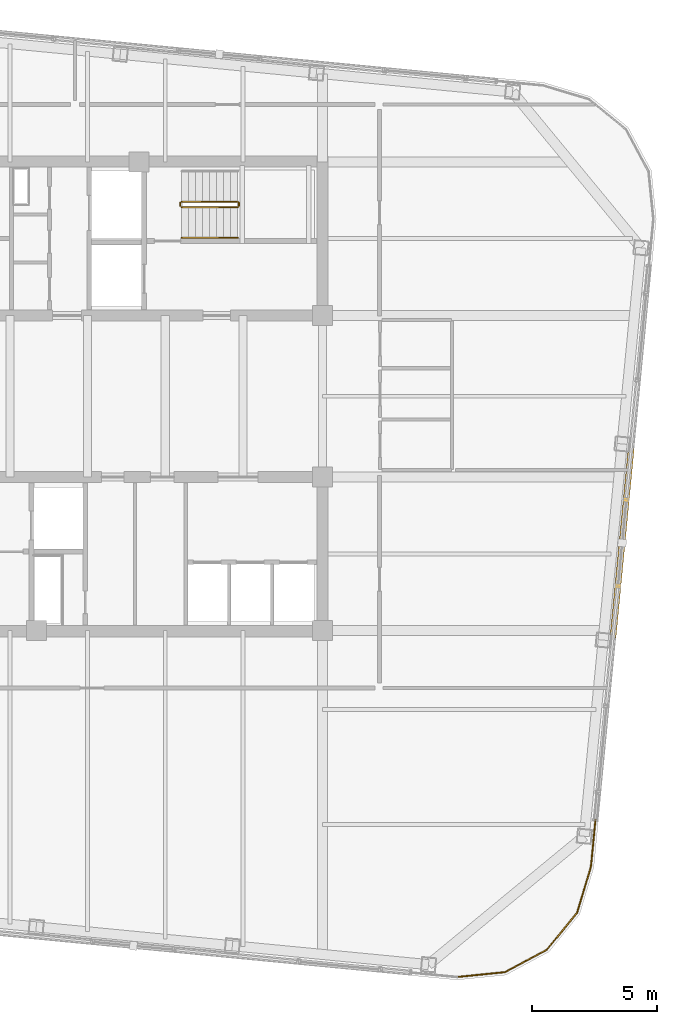
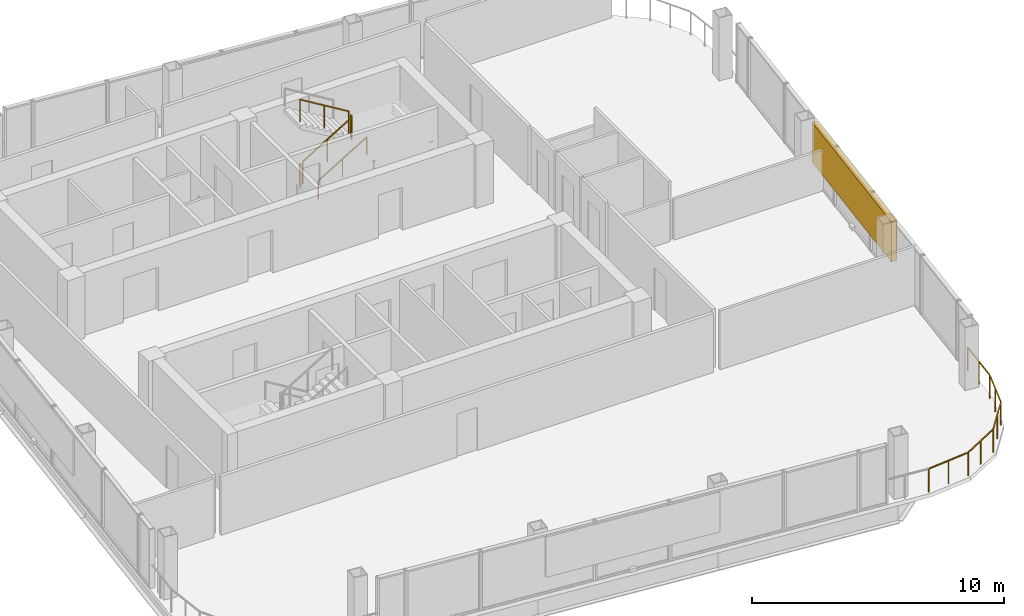
# One storey, part 21 of 22: 6 railings, 1 shading device.
"""IFC4 building model written with IfcOpenShell, lengths in metres."""

from ifc_helpers import new_model, si_unit, direction, frame, origin, origin_2d, place, context, subcontext, project, spatial, rectangle, extrude, material, type_object, element, save


model = new_model("IFC4")

# Units and contexts
model_context = context("Model", 3, precision=1e-05, world=origin(), true_north=direction((0.0, 1.0)))
body_context = subcontext(model_context, "Body", "Model", "MODEL_VIEW")
ifc_project = project(units=[si_unit("LENGTHUNIT", "METRE"), si_unit("AREAUNIT", "SQUARE_METRE"), si_unit("VOLUMEUNIT", "CUBIC_METRE"), si_unit("PLANEANGLEUNIT", "RADIAN"), si_unit("MASSUNIT", "GRAM", prefix="KILO")], contexts=[model_context])

# Site, building, storey
site_placement = place(None, origin())
site = spatial("IfcSite", under=ifc_project, at=site_placement, CompositionType="ELEMENT")
building_placement = place(site_placement, origin())
building = spatial("IfcBuilding", under=site, at=building_placement, Name="Qhalaya Broadcast Tower", CompositionType="ELEMENT")
storey_placement = place(building_placement, frame((0.0, 0.0, 245.89990234375)))
storey = spatial("IfcBuildingStorey", under=building, at=storey_placement, Name="L72", CompositionType="ELEMENT", Elevation=245.89990234375)

# Railings
ifc_material_1 = material(Name="Powder-Coated Galvanised Steel", Category="steel")
railing_type_1 = type_object("IfcRailingType", Name="Stair Wall Handrail 900", PredefinedType="HANDRAIL", material=ifc_material_1)
railing_1_placement = place(storey_placement, frame((3.75, 6.929931640625, 0.16943359375)))
element("IfcRailing", 1, at=railing_1_placement, inside=storey, type_object=railing_type_1, Name="L72 ST-1 Stair Handrail 1", PredefinedType="HANDRAIL", context=body_context, shape_type="SweptSolid", body=[
    extrude(rectangle(XDim=0.048095703125, YDim=0.048095703125, at=origin_2d()), frame((0.0, 0.0, 0.8759765625), z_axis=(0.855512035549, 0.0, 0.517782924622), x_axis=(0.0, 1.0, 0.0)), (0.0, 0.0, 1.0), 2.618408203125),
    extrude(rectangle(XDim=0.0419921875, YDim=0.0419921875, at=origin_2d()), origin(), (0.0, 0.0, 1.0), 0.849853515625),
    extrude(rectangle(XDim=0.0419921875, YDim=0.0419921875, at=origin_2d()), frame((1.1201171875, 0.0, 0.677734375)), (0.0, 0.0, 1.0), 0.849853515625),
    extrude(rectangle(XDim=0.0419921875, YDim=0.0419921875, at=origin_2d()), frame((2.239990234375, 0.0, 1.355712890625)), (0.0, 0.0, 1.0), 0.849853515625),
])
railing_type_2 = type_object("IfcRailingType", Name="Stair Well & Landing Guardrail 1100", PredefinedType="GUARDRAIL", material=ifc_material_1)
railing_2_placement = place(storey_placement, frame((3.75, 8.14990234375, 0.16943359375)))
element("IfcRailing", 2, at=railing_2_placement, inside=storey, type_object=railing_type_2, Name="L72 ST-1 Stair Guard 1", PredefinedType="GUARDRAIL", context=body_context, shape_type="SweptSolid", body=[
    extrude(rectangle(XDim=0.048095703125, YDim=0.048095703125, at=origin_2d()), frame((0.0, 0.0, 1.076171875), z_axis=(0.855512035549, 0.0, 0.517782924622), x_axis=(0.0, 1.0, 0.0)), (0.0, 0.0, 1.0), 2.618408203125),
    extrude(rectangle(XDim=0.0419921875, YDim=0.0419921875, at=origin_2d()), origin(), (0.0, 0.0, 1.0), 1.050048828125),
    extrude(rectangle(XDim=0.0419921875, YDim=0.0419921875, at=origin_2d()), frame((1.1201171875, 0.0, 0.677734375)), (0.0, 0.0, 1.0), 1.050048828125),
    extrude(rectangle(XDim=0.0419921875, YDim=0.0419921875, at=origin_2d()), frame((2.239990234375, 0.0, 1.355712890625)), (0.0, 0.0, 1.0), 1.050048828125),
])
railing_3_placement = place(storey_placement, frame((6.0400390625, 8.199951171875, 1.525146484375)))
element("IfcRailing", 3, at=railing_3_placement, inside=storey, type_object=railing_type_2, Name="L72 ST-1 Stair Guard 2", PredefinedType="GUARDRAIL", context=body_context, shape_type="SweptSolid", body=[
    extrude(rectangle(XDim=0.048095703125, YDim=0.048095703125, at=origin_2d()), frame((0.0, 0.0, 1.076171875), z_axis=(0.0, 1.0, 0.0), x_axis=(-1.0, 0.0, 0.0)), (0.0, 0.0, 1.0), 0.1201171875),
    extrude(rectangle(XDim=0.0419921875, YDim=0.0419921875, at=origin_2d()), origin(), (0.0, 0.0, 1.0), 1.050048828125),
    extrude(rectangle(XDim=0.0419921875, YDim=0.0419921875, at=origin_2d()), frame((0.0, 0.1201171875, 0.0)), (0.0, 0.0, 1.0), 1.050048828125),
])
railing_4_placement = place(storey_placement, frame((5.989990234375, 8.3701171875, 1.694580078125)))
element("IfcRailing", 4, at=railing_4_placement, inside=storey, type_object=railing_type_2, Name="L72 ST-1 Stair Guard 3", PredefinedType="GUARDRAIL", context=body_context, shape_type="SweptSolid", body=[
    extrude(rectangle(XDim=0.048095703125, YDim=0.048095703125, at=origin_2d()), frame((0.0, 0.0, 1.076171875), z_axis=(-0.855553338991, 0.0, 0.51771467445), x_axis=(0.0, -1.0, 0.0)), (0.0, 0.0, 1.0), 2.6181640625),
    extrude(rectangle(XDim=0.0419921875, YDim=0.0419921875, at=origin_2d()), origin(), (0.0, 0.0, 1.0), 1.050048828125),
    extrude(rectangle(XDim=0.0419921875, YDim=0.0419921875, at=origin_2d()), frame((-1.1201171875, 0.0, 0.677734375)), (0.0, 0.0, 1.0), 1.050048828125),
    extrude(rectangle(XDim=0.0419921875, YDim=0.0419921875, at=origin_2d()), frame((-2.239990234375, 0.0, 1.35546875)), (0.0, 0.0, 1.0), 1.050048828125),
])
railing_5_placement = place(storey_placement, frame((3.699951171875, 8.199951171875, 0.0)))
element("IfcRailing", 5, at=railing_5_placement, inside=storey, type_object=railing_type_2, Name="L72 ST-1 Stair Guard 4", PredefinedType="GUARDRAIL", context=body_context, shape_type="SweptSolid", body=[
    extrude(rectangle(XDim=0.048095703125, YDim=0.048095703125, at=origin_2d()), frame((0.0, 0.0, 1.076171875), z_axis=(0.0, 1.0, 0.0), x_axis=(-1.0, 0.0, 0.0)), (0.0, 0.0, 1.0), 0.1201171875),
    extrude(rectangle(XDim=0.0419921875, YDim=0.0419921875, at=origin_2d()), origin(), (0.0, 0.0, 1.0), 1.050048828125),
    extrude(rectangle(XDim=0.0419921875, YDim=0.0419921875, at=origin_2d()), frame((0.0, 0.1201171875, 0.0)), (0.0, 0.0, 1.0), 1.050048828125),
])
railing_type_3 = type_object("IfcRailingType", Name="Terrace, Sky-Pool & Lookout Glass Balustrade 1150", PredefinedType="BALUSTRADE", material=ifc_material_1)
railing_6_placement = place(storey_placement, frame((20.2958984375, -16.07373046875, 0.0)))
element("IfcRailing", 6, at=railing_6_placement, inside=storey, type_object=railing_type_3, Name="L72 Rounded Corner Perimeter Guard 05", PredefinedType="BALUSTRADE", context=body_context, shape_type="SweptSolid", body=[
    extrude(rectangle(XDim=0.048095703125, YDim=0.048095703125, at=origin_2d()), frame((0.0, 0.0, 1.1259765625), z_axis=(-0.095896889673, -0.995391273094, 0.0), x_axis=(0.995391273094, -0.095896889673, 0.0)), (0.0, 0.0, 1.0), 2.08935546875),
    extrude(rectangle(XDim=0.048095703125, YDim=0.048095703125, at=origin_2d()), frame((-0.21142578125, -2.135986328125, 1.1259765625), z_axis=(-0.288096282124, -0.957601447485, 0.0), x_axis=(0.957601447485, -0.288096282124, 0.0)), (0.0, 0.0, 1.0), 1.857421875),
    extrude(rectangle(XDim=0.048095703125, YDim=0.048095703125, at=origin_2d()), frame((-0.773193359375, -3.96484375, 1.1259765625), z_axis=(-0.63274871945, -0.774357190213, 0.0), x_axis=(0.774357190213, -0.63274871945, 0.0)), (0.0, 0.0, 1.0), 1.845703125),
    extrude(rectangle(XDim=0.048095703125, YDim=0.048095703125, at=origin_2d()), frame((-1.984619140625, -5.429931640625, 1.1259765625), z_axis=(-0.880932037714, -0.473242797018, 0.0), x_axis=(0.473242797018, -0.880932037714, 0.0)), (0.0, 0.0, 1.0), 1.845458984375),
    extrude(rectangle(XDim=0.048095703125, YDim=0.048095703125, at=origin_2d()), frame((-3.66455078125, -6.31982421875, 1.1259765625), z_axis=(-0.994967529225, -0.100197883148, 0.0), x_axis=(0.100197883148, -0.994967529225, 0.0)), (0.0, 0.0, 1.0), 1.88623046875),
    extrude(rectangle(XDim=0.0419921875, YDim=0.0419921875, at=origin_2d()), origin(), (0.0, 0.0, 1.0), 1.099853515625),
    extrude(rectangle(XDim=0.0419921875, YDim=0.0419921875, at=origin_2d()), frame((-0.1015625, -1.05419921875, 0.0)), (0.0, 0.0, 1.0), 1.099853515625),
    extrude(rectangle(XDim=0.0419921875, YDim=0.0419921875, at=origin_2d()), frame((-0.203125, -2.1083984375, 0.0)), (0.0, 0.0, 1.0), 1.099853515625),
    extrude(rectangle(XDim=0.0419921875, YDim=0.0419921875, at=origin_2d()), frame((-0.47900390625, -3.025390625, 0.0)), (0.0, 0.0, 1.0), 1.099853515625),
    extrude(rectangle(XDim=0.0419921875, YDim=0.0419921875, at=origin_2d()), frame((-0.7548828125, -3.9423828125, 0.0)), (0.0, 0.0, 1.0), 1.099853515625),
    extrude(rectangle(XDim=0.0419921875, YDim=0.0419921875, at=origin_2d()), frame((-1.35693359375, -4.67919921875, 0.0)), (0.0, 0.0, 1.0), 1.099853515625),
    extrude(rectangle(XDim=0.0419921875, YDim=0.0419921875, at=origin_2d()), frame((-1.959228515625, -5.416259765625, 0.0)), (0.0, 0.0, 1.0), 1.099853515625),
    extrude(rectangle(XDim=0.0419921875, YDim=0.0419921875, at=origin_2d()), frame((-2.79736328125, -5.86669921875, 0.0)), (0.0, 0.0, 1.0), 1.099853515625),
    extrude(rectangle(XDim=0.0419921875, YDim=0.0419921875, at=origin_2d()), frame((-3.6357421875, -6.31689453125, 0.0)), (0.0, 0.0, 1.0), 1.099853515625),
    extrude(rectangle(XDim=0.0419921875, YDim=0.0419921875, at=origin_2d()), frame((-4.58837890625, -6.412841796875, 0.0)), (0.0, 0.0, 1.0), 1.099853515625),
    extrude(rectangle(XDim=0.0419921875, YDim=0.0419921875, at=origin_2d()), frame((-5.541259765625, -6.5087890625, 0.0)), (0.0, 0.0, 1.0), 1.099853515625),
])

# Shading device
ifc_material_2 = material(Name="Fired Architectural Terracotta", Category="masonry")
shading_device_type = type_object("IfcShadingDeviceType", Name="Terracotta Baguette Solar Screen Assembly TBS-01", PredefinedType="USERDEFINED", material=ifc_material_2)
shading_device_placement = place(storey_placement, frame((21.337646484375, -5.25390625, 0.80078125), z_axis=(0.0, 0.0, 1.0), x_axis=(0.09584575252, 0.995396198367, 0.0)))
element("IfcShadingDevice", 7, at=shading_device_placement, inside=storey, type_object=shading_device_type, Name="L72 Fired Terracotta Baguette Screen E", ObjectType="BAGUETTE", PredefinedType="USERDEFINED", context=body_context, shape_type="SweptSolid", body=[
    extrude(rectangle(XDim=7.60009765625, YDim=0.239990234375, at=origin_2d()), origin(), (0.0, 0.0, 1.0), 1.945068359375),
])

save(model, "model.ifc")
